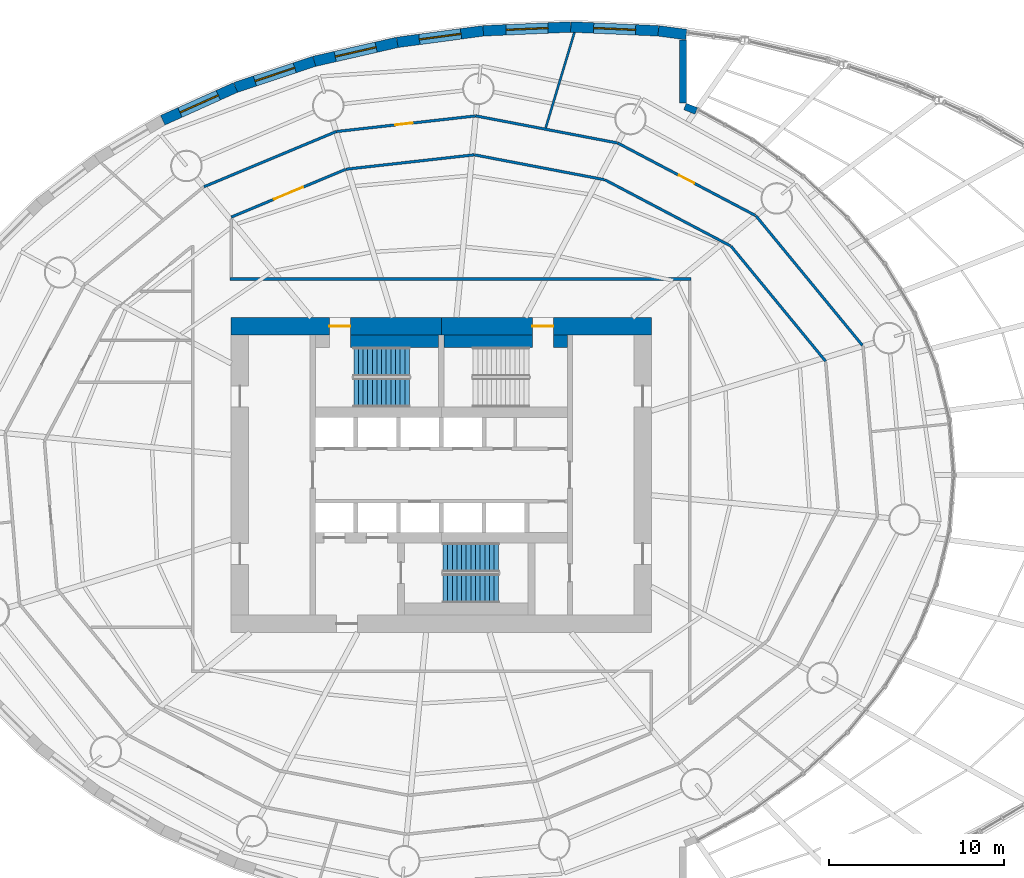
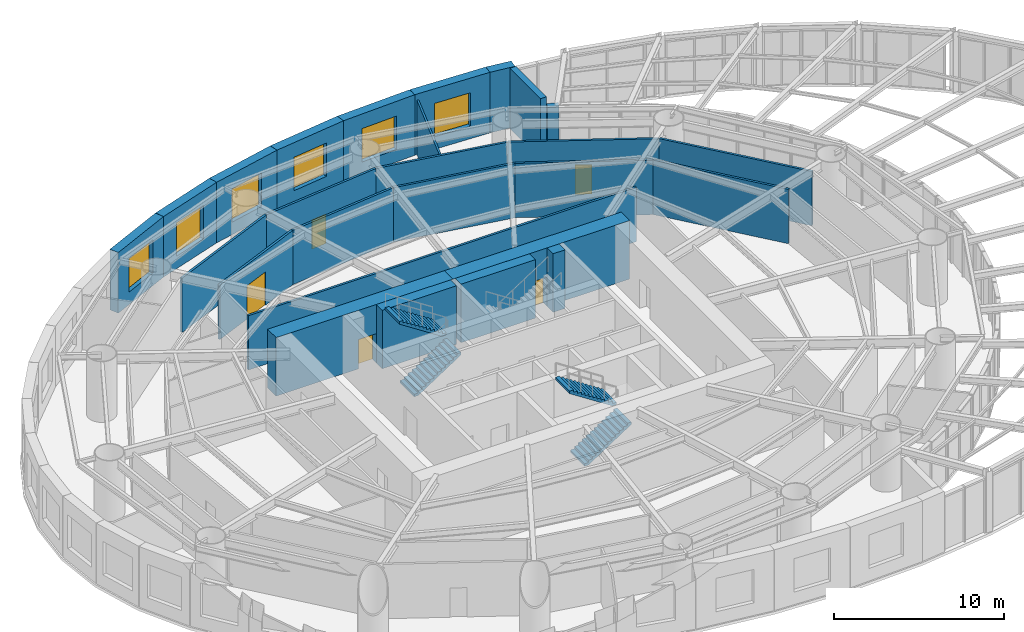
# One storey, part 21 of 23: 26 walls, 6 windows, 5 doors, 4 stair flights, 11 openings, 2 elements without a shape of their own.
"""IFC4 building model written with IfcOpenShell, lengths in metres."""

from ifc_helpers import new_model, si_unit, direction, frame, frame_2d, origin, place, context, subcontext, project, spatial, polyline, rectangle, outline, extrude, material, layer, layer_set, type_object, element, fill, aggregate, save


model = new_model("IFC4")

# Units and contexts
model_context = context("Model", 3, precision=1e-05, world=origin(), true_north=direction((0.0, 1.0)))
body_context = subcontext(model_context, "Body", "Model", "MODEL_VIEW")
ifc_project = project(units=[si_unit("LENGTHUNIT", "METRE"), si_unit("AREAUNIT", "SQUARE_METRE"), si_unit("VOLUMEUNIT", "CUBIC_METRE"), si_unit("PLANEANGLEUNIT", "RADIAN"), si_unit("MASSUNIT", "GRAM", prefix="KILO")], contexts=[model_context])

# Site, building, storey
site_placement = place(None, origin())
site = spatial("IfcSite", under=ifc_project, at=site_placement, CompositionType="ELEMENT")
building_placement = place(site_placement, origin())
building = spatial("IfcBuilding", under=site, at=building_placement, Name="Vermilion Reach Broadcast Tower", CompositionType="ELEMENT")
storey_placement = place(building_placement, frame((0.0, 0.0, 31.5)))
storey = spatial("IfcBuildingStorey", under=building, at=storey_placement, Name="L04", CompositionType="ELEMENT", Elevation=31.5)

# Walls
ifc_material_1 = material(Name="Precast concrete C40/50 with acoustic cladding", Category="concrete")
ifc_layer_1 = layer(ifc_material_1, 0.39990234375)
ifc_layer_set_1 = layer_set([ifc_layer_1], Name="Atrium end wall 400")
wall_type_1 = type_object("IfcWallType", Name="Atrium end wall 400", PredefinedType="SOLIDWALL", material=ifc_layer_set_1)
wall_1_placement = place(storey_placement, frame((7.800048828125, 24.84521484375, 0.0), z_axis=(0.0, 0.0, 1.0), x_axis=(0.0, -1.0, 0.0)))
element("IfcWall", 1, at=wall_1_placement, inside=storey, type_object=wall_type_1, Name="Atrium end wall L04 1", PredefinedType="SOLIDWALL", context=body_context, shape_type="SweptSolid", body=[
    extrude(rectangle(XDim=3.599365234375, YDim=0.39990234375, at=frame_2d((1.7998046875, 0.0))), origin(), (0.0, 0.0, 1.0), 4.35009765625),
])
ifc_material_2 = material(Name="Precast concrete C40/50 with acoustic cladding", Category="concrete")
ifc_layer_2 = layer(ifc_material_2, 0.39990234375)
ifc_layer_set_2 = layer_set([ifc_layer_2], Name="Atrium end wall 400, head 488 below soffit")
wall_type_2 = type_object("IfcWallType", Name="Atrium end wall 400, head 488 below soffit", PredefinedType="SOLIDWALL", material=ifc_layer_set_2)
wall_2_placement = place(storey_placement, frame((7.925048828125, 21.060546875, 0.0), z_axis=(0.0, 0.0, 1.0), x_axis=(0.927141159757, -0.374712249444, 0.0)))
element("IfcWall", 2, at=wall_2_placement, inside=storey, type_object=wall_type_2, Name="Podium wall L04 dru00", PredefinedType="SOLIDWALL", context=body_context, shape_type="SweptSolid", body=[
    extrude(rectangle(XDim=0.696533203125, YDim=0.39990234375, at=frame_2d((0.34814453125, 0.0))), origin(), (0.0, 0.0, 1.0), 3.862060546875),
])

# Wall, opening, door
ifc_material_3 = material(Name="Concrete C70", Category="concrete")
ifc_layer_3 = layer(ifc_material_3, 1.0)
ifc_layer_set_3 = layer_set([ifc_layer_3], Name="Core outer wall 1000 mm Concrete C70")
wall_type_3 = type_object("IfcWallType", Name="Core outer wall 1000 mm Concrete C70", PredefinedType="SHEAR", material=ifc_layer_set_3)
wall_3_placement = place(storey_placement, frame((6.0, 8.5, 0.0), z_axis=(0.0, 0.0, 1.0), x_axis=(-1.0, 0.0, 0.0)))
wall_3 = element("IfcWall", 3, at=wall_3_placement, inside=storey, type_object=wall_type_3, Name="L04 core wall onE", PredefinedType="SHEAR", context=body_context, shape_type="SweptSolid", body=[
    extrude(rectangle(XDim=12.0, YDim=1.0, at=frame_2d((6.0, 0.0))), origin(), (0.0, 0.0, 1.0), 4.199951171875),
])
opening_1_placement = place(wall_3_placement, frame((5.60009765625, 0.0, 0.0)))
opening_1 = element("IfcOpeningElement", 4, at=opening_1_placement, cuts=wall_3, Name="Opening D01", PredefinedType="OPENING", context=body_context, shape_type="SweptSolid", body=[
    extrude(rectangle(XDim=1.199951171875, YDim=2.10009765625, at=frame_2d((0.60009765625, 1.050048828125))), frame((0.0, 0.510009765625, 0.0), z_axis=(0.0, -1.0, 0.0), x_axis=(1.0, 0.0, 0.0)), (0.0, 0.0, 1.0), 1.02001953125),
])
ifc_material_4 = material(Name="Painted steel fire door", Category="steel")
door_type_1 = type_object("IfcDoorType", Name="Stair door 1200 x 2100", OperationType="DOUBLE_DOOR_SINGLE_SWING", PredefinedType="NOTDEFINED", material=ifc_material_4)
door_1_placement = place(opening_1_placement, origin())
door_1 = element("IfcDoor", 5, at=door_1_placement, inside=storey, type_object=door_type_1, Name="L04 stair door ST2", OperationType="DOUBLE_DOOR_SINGLE_SWING", OverallHeight=2.10009765625, OverallWidth=1.199951171875, PredefinedType="NOTDEFINED", context=body_context, shape_type="SweptSolid", body=[
    extrude(rectangle(XDim=1.199951171875, YDim=2.10009765625, at=frame_2d((0.60009765625, 1.050048828125))), frame((0.0, 0.02490234375, 0.0), z_axis=(0.0, -1.0, 0.0), x_axis=(1.0, 0.0, 0.0)), (0.0, 0.0, 1.0), 0.050048828125),
])
fill(opening_1, door_1)

wall_4_placement = place(storey_placement, frame((-6.0, 8.5, 0.0), z_axis=(0.0, 0.0, 1.0), x_axis=(-1.0, 0.0, 0.0)))
wall_4 = element("IfcWall", 6, at=wall_4_placement, inside=storey, type_object=wall_type_3, Name="L04 core wall onW", PredefinedType="SHEAR", context=body_context, shape_type="SweptSolid", body=[
    extrude(rectangle(XDim=12.0, YDim=1.0, at=frame_2d((6.0, 0.0))), origin(), (0.0, 0.0, 1.0), 4.199951171875),
])
opening_2_placement = place(wall_4_placement, frame((5.199951171875, 0.0, 0.0)))
opening_2 = element("IfcOpeningElement", 7, at=opening_2_placement, cuts=wall_4, Name="Opening D01", PredefinedType="OPENING", context=body_context, shape_type="SweptSolid", body=[
    extrude(rectangle(XDim=1.199951171875, YDim=2.10009765625, at=frame_2d((0.60009765625, 1.050048828125))), frame((0.0, 0.510009765625, 0.0), z_axis=(0.0, -1.0, 0.0), x_axis=(1.0, 0.0, 0.0)), (0.0, 0.0, 1.0), 1.02001953125),
])
door_2_placement = place(opening_2_placement, origin())
door_2 = element("IfcDoor", 8, at=door_2_placement, inside=storey, type_object=door_type_1, Name="L04 stair door ST1", OperationType="DOUBLE_DOOR_SINGLE_SWING", OverallHeight=2.10009765625, OverallWidth=1.199951171875, PredefinedType="NOTDEFINED", context=body_context, shape_type="SweptSolid", body=[
    extrude(rectangle(XDim=1.199951171875, YDim=2.10009765625, at=frame_2d((0.60009765625, 1.050048828125))), frame((0.0, 0.02490234375, 0.0), z_axis=(0.0, -1.0, 0.0), x_axis=(1.0, 0.0, 0.0)), (0.0, 0.0, 1.0), 0.050048828125),
])
fill(opening_2, door_2)

# Walls
ifc_material_5 = material(Name="Concrete C70", Category="concrete")
ifc_layer_4 = layer(ifc_material_5, 0.699951171875)
ifc_layer_set_4 = layer_set([ifc_layer_4], Name="Core stair wall 700 mm Concrete C70")
wall_type_4 = type_object("IfcWallType", Name="Core stair wall 700 mm Concrete C70", PredefinedType="SHEAR", material=ifc_layer_set_4)
for number, where, z_axis, x_axis, name in (
    (9, (-11.199951171875, 7.64990234375, 0.0), (0.0, 0.0, 1.0), (1.0, 0.0, 0.0), "L04 core wall l1b"),
    (10, (-5.85009765625, 7.64990234375, 0.0), (0.0, 0.0, 1.0), (1.0, 0.0, 0.0), "L04 core wall l2a"),
):
    element("IfcWall", number, at=place(storey_placement, frame(where, z_axis=z_axis, x_axis=x_axis)), inside=storey, type_object=wall_type_4, Name=name, PredefinedType="SHEAR", context=body_context, shape_type="SweptSolid", body=[
        extrude(rectangle(XDim=5.050048828125, YDim=0.699951171875, at=frame_2d((2.52490234375, 0.0))), origin(), (0.0, 0.0, 1.0), 4.199951171875),
    ])
wall_5_placement = place(storey_placement, frame((0.39990234375, 7.64990234375, 0.0), z_axis=(0.0, 0.0, 1.0), x_axis=(1.0, 0.0, 0.0)))
element("IfcWall", 11, at=wall_5_placement, inside=storey, type_object=wall_type_4, Name="L04 core wall l2b", PredefinedType="SHEAR", context=body_context, shape_type="SweptSolid", body=[
    extrude(rectangle(XDim=0.800048828125, YDim=0.699951171875, at=frame_2d((0.39990234375, 0.0))), origin(), (0.0, 0.0, 1.0), 4.199951171875),
])
ifc_material_6 = material(Name="Gypsum board partition")
ifc_layer_5 = layer(ifc_material_6, 0.14990234375)
ifc_layer_set_5 = layer_set([ifc_layer_5], Name="Corridor wall 150")
wall_type_5 = type_object("IfcWallType", Name="Corridor wall 150", PredefinedType="PARTITIONING", material=ifc_layer_set_5)
wall_6_placement = place(storey_placement, frame((-18.0751953125, 11.199951171875, 0.0), z_axis=(0.0, 0.0, 1.0), x_axis=(1.0, 0.0, 0.0)))
element("IfcWall", 12, at=wall_6_placement, inside=storey, type_object=wall_type_5, Name="sp.wall.L04.000", PredefinedType="PARTITIONING", context=body_context, shape_type="SweptSolid", body=[
    extrude(rectangle(XDim=26.35009765625, YDim=0.14990234375, at=frame_2d((13.175048828125, 0.0))), origin(), (0.0, 0.0, 1.0), 3.89990234375),
])

# Wall, opening, door
wall_7_placement = place(storey_placement, frame((-11.466552734375, 17.46630859375, 0.0), z_axis=(0.0, 0.0, 1.0), x_axis=(-0.9228124679, -0.38524946345, 0.0)))
wall_7 = element("IfcWall", 13, at=wall_7_placement, inside=storey, type_object=wall_type_5, Name="sp.wall.L04.006", PredefinedType="PARTITIONING", context=body_context, shape_type="SweptSolid", body=[
    extrude(rectangle(XDim=7.079833984375, YDim=0.14990234375, at=frame_2d((3.5400390625, 0.0))), origin(), (0.0, 0.0, 1.0), 3.89990234375),
])
opening_3_placement = place(wall_7_placement, frame((2.639892578125, 0.0, 0.0)))
opening_3 = element("IfcOpeningElement", 14, at=opening_3_placement, cuts=wall_7, Name="Opening D55", PredefinedType="OPENING", context=body_context, shape_type="SweptSolid", body=[
    extrude(rectangle(XDim=1.800048828125, YDim=2.39990234375, at=frame_2d((0.89990234375, 1.199951171875))), frame((0.0, 0.0849609375, 0.0), z_axis=(0.0, -1.0, 0.0), x_axis=(1.0, 0.0, 0.0)), (0.0, 0.0, 1.0), 0.169921875),
])
ifc_material_7 = material(Name="Timber and steel door set", Category="steel")
door_type_2 = type_object("IfcDoorType", Name="Hall double door 1800x2400", OperationType="NOTDEFINED", PredefinedType="DOOR", material=ifc_material_7)
door_3_placement = place(opening_3_placement, origin())
door_3 = element("IfcDoor", 15, at=door_3_placement, inside=storey, type_object=door_type_2, Name="sp.door.L04.000", OperationType="DOUBLE_DOOR_SINGLE_SWING", OverallHeight=2.39990234375, OverallWidth=1.800048828125, PredefinedType="DOOR", context=body_context, shape_type="SweptSolid", body=[
    extrude(rectangle(XDim=1.800048828125, YDim=2.39990234375, at=frame_2d((0.89990234375, 1.199951171875))), frame((0.0, 0.02490234375, 0.0), z_axis=(0.0, -1.0, 0.0), x_axis=(1.0, 0.0, 0.0)), (0.0, 0.0, 1.0), 0.050048828125),
])
fill(opening_3, door_3)

# Walls
wall_8_placement = place(storey_placement, frame((-11.446533203125, 17.474609375, 0.0), z_axis=(0.0, 0.0, 1.0), x_axis=(0.993762113274, 0.111520680692, 0.0)))
element("IfcWall", 16, at=wall_8_placement, inside=storey, type_object=wall_type_5, Name="sp.wall.L04.007", PredefinedType="PARTITIONING", context=body_context, shape_type="SweptSolid", body=[
    extrude(rectangle(XDim=7.355712890625, YDim=0.14990234375, at=frame_2d((3.677734375, 0.0))), origin(), (0.0, 0.0, 1.0), 3.89990234375),
])
wall_9_placement = place(storey_placement, frame((-4.113525390625, 18.297607421875, 0.0), z_axis=(0.0, 0.0, 1.0), x_axis=(0.982205706766, -0.187808278828, 0.0)))
element("IfcWall", 17, at=wall_9_placement, inside=storey, type_object=wall_type_5, Name="sp.wall.L04.008", PredefinedType="PARTITIONING", context=body_context, shape_type="SweptSolid", body=[
    extrude(rectangle(XDim=7.573486328125, YDim=0.14990234375, at=frame_2d((3.78662109375, 0.0))), origin(), (0.0, 0.0, 1.0), 3.89990234375),
])
wall_10_placement = place(storey_placement, frame((3.34765625, 16.870849609375, 0.0), z_axis=(0.0, 0.0, 1.0), x_axis=(0.884926057807, -0.465731545221, 0.0)))
element("IfcWall", 18, at=wall_10_placement, inside=storey, type_object=wall_type_5, Name="sp.wall.L04.009", PredefinedType="PARTITIONING", context=body_context, shape_type="SweptSolid", body=[
    extrude(rectangle(XDim=8.110595703125, YDim=0.14990234375, at=frame_2d((4.05517578125, 0.0))), origin(), (0.0, 0.0, 1.0), 3.89990234375),
])
wall_11_placement = place(storey_placement, frame((10.552734375, 13.078857421875, 0.0), z_axis=(0.0, 0.0, 1.0), x_axis=(0.635033534221, -0.772484569694, 0.0)))
element("IfcWall", 19, at=wall_11_placement, inside=storey, type_object=wall_type_5, Name="sp.wall.L04.010", PredefinedType="PARTITIONING", context=body_context, shape_type="SweptSolid", body=[
    extrude(rectangle(XDim=8.513427734375, YDim=0.14990234375, at=frame_2d((4.2568359375, 0.0))), origin(), (0.0, 0.0, 1.0), 3.89990234375),
])
wall_12_placement = place(storey_placement, frame((11.970458984375, 14.81884765625, 0.0), z_axis=(0.0, 0.0, 1.0), x_axis=(0.63502168635, -0.772494309277, 0.0)))
element("IfcWall", 20, at=wall_12_placement, inside=storey, type_object=wall_type_5, Name="sp.wall.L04.030", PredefinedType="PARTITIONING", context=body_context, shape_type="SweptSolid", body=[
    extrude(rectangle(XDim=9.590087890625, YDim=0.14990234375, at=frame_2d((4.794921875, 0.0))), origin(), (0.0, 0.0, 1.0), 3.89990234375),
])

# Wall, opening, door
wall_13_placement = place(storey_placement, frame((11.9423828125, 14.83349609375, 0.0), z_axis=(0.0, 0.0, 1.0), x_axis=(-0.884920607371, 0.465741901326, 0.0)))
wall_13 = element("IfcWall", 21, at=wall_13_placement, inside=storey, type_object=wall_type_5, Name="sp.wall.L04.031", PredefinedType="PARTITIONING", context=body_context, shape_type="SweptSolid", body=[
    extrude(rectangle(XDim=8.882080078125, YDim=0.14990234375, at=frame_2d((4.44091796875, 0.0))), origin(), (0.0, 0.0, 1.0), 3.89990234375),
])
opening_4_placement = place(wall_13_placement, frame((3.941162109375, 0.0, 0.0)))
opening_4 = element("IfcOpeningElement", 22, at=opening_4_placement, cuts=wall_13, Name="Opening D50", PredefinedType="OPENING", context=body_context, shape_type="SweptSolid", body=[
    extrude(rectangle(XDim=1.0, YDim=2.10009765625, at=frame_2d((0.5, 1.050048828125))), frame((0.0, 0.0849609375, 0.0), z_axis=(0.0, -1.0, 0.0), x_axis=(1.0, 0.0, 0.0)), (0.0, 0.0, 1.0), 0.169921875),
])
ifc_material_8 = material(Name="Timber and steel door set", Category="steel")
door_type_3 = type_object("IfcDoorType", Name="Door 1000x2100", OperationType="NOTDEFINED", PredefinedType="DOOR", material=ifc_material_8)
door_4_placement = place(opening_4_placement, origin())
door_4 = element("IfcDoor", 23, at=door_4_placement, inside=storey, type_object=door_type_3, Name="sp.door.L04.006", OperationType="SINGLE_SWING_LEFT", OverallHeight=2.10009765625, OverallWidth=1.0, PredefinedType="DOOR", context=body_context, shape_type="SweptSolid", body=[
    extrude(rectangle(XDim=1.0, YDim=2.10009765625, at=frame_2d((0.5, 1.050048828125))), frame((0.0, 0.02490234375, 0.0), z_axis=(0.0, -1.0, 0.0), x_axis=(1.0, 0.0, 0.0)), (0.0, 0.0, 1.0), 0.050048828125),
])
fill(opening_4, door_4)

# Wall
wall_14_placement = place(storey_placement, frame((-4.027587890625, 20.52099609375, 0.0), z_axis=(0.0, 0.0, 1.0), x_axis=(0.982207009241, -0.187801466976, 0.0)))
element("IfcWall", 24, at=wall_14_placement, inside=storey, type_object=wall_type_5, Name="sp.wall.L04.032", PredefinedType="PARTITIONING", context=body_context, shape_type="SweptSolid", body=[
    extrude(rectangle(XDim=8.234130859375, YDim=0.14990234375, at=frame_2d((4.1171875, 0.0))), origin(), (0.0, 0.0, 1.0), 3.89990234375),
])

# Wall, opening, door
wall_15_placement = place(storey_placement, frame((-4.05078125, 20.518310546875, 0.0), z_axis=(0.0, 0.0, 1.0), x_axis=(-0.993764533241, -0.11149911422, 0.0)))
wall_15 = element("IfcWall", 25, at=wall_15_placement, inside=storey, type_object=wall_type_5, Name="sp.wall.L04.034", PredefinedType="PARTITIONING", context=body_context, shape_type="SweptSolid", body=[
    extrude(rectangle(XDim=7.981201171875, YDim=0.14990234375, at=frame_2d((3.99072265625, 0.0))), origin(), (0.0, 0.0, 1.0), 3.89990234375),
])
opening_5_placement = place(wall_15_placement, frame((3.6162109375, 0.0, 0.0)))
opening_5 = element("IfcOpeningElement", 26, at=opening_5_placement, cuts=wall_15, Name="Opening D50", PredefinedType="OPENING", context=body_context, shape_type="SweptSolid", body=[
    extrude(rectangle(XDim=1.0, YDim=2.10009765625, at=frame_2d((0.5, 1.050048828125))), frame((0.0, 0.0849609375, 0.0), z_axis=(0.0, -1.0, 0.0), x_axis=(1.0, 0.0, 0.0)), (0.0, 0.0, 1.0), 0.169921875),
])
door_5_placement = place(opening_5_placement, origin())
door_5 = element("IfcDoor", 27, at=door_5_placement, inside=storey, type_object=door_type_3, Name="sp.door.L04.007", OperationType="SINGLE_SWING_RIGHT", OverallHeight=2.10009765625, OverallWidth=1.0, PredefinedType="DOOR", context=body_context, shape_type="SweptSolid", body=[
    extrude(rectangle(XDim=1.0, YDim=2.10009765625, at=frame_2d((0.5, 1.050048828125))), frame((0.0, 0.02490234375, 0.0), z_axis=(0.0, -1.0, 0.0), x_axis=(1.0, 0.0, 0.0)), (0.0, 0.0, 1.0), 0.050048828125),
])
fill(opening_5, door_5)

# Walls
wall_16_placement = place(storey_placement, frame((-19.556396484375, 16.47314453125, 0.0), z_axis=(0.0, 0.0, 1.0), x_axis=(0.922818121352, 0.385235921097, 0.0)))
element("IfcWall", 28, at=wall_16_placement, inside=storey, type_object=wall_type_5, Name="sp.wall.L04.035", PredefinedType="PARTITIONING", context=body_context, shape_type="SweptSolid", body=[
    extrude(rectangle(XDim=8.18408203125, YDim=0.14990234375, at=frame_2d((4.092041015625, 0.0))), origin(), (0.0, 0.0, 1.0), 3.89990234375),
])
ifc_material_9 = material(Name="Gypsum board partition")
ifc_layer_6 = layer(ifc_material_9, 0.125)
ifc_layer_set_6 = layer_set([ifc_layer_6], Name="Partition 125 plasterboard")
wall_type_6 = type_object("IfcWallType", Name="Partition 125 plasterboard", PredefinedType="PARTITIONING", material=ifc_layer_set_6)
wall_17_placement = place(storey_placement, frame((-0.03271484375, 19.840087890625, 0.0), z_axis=(0.0, 0.0, 1.0), x_axis=(0.288063986859, 0.957611162986, 0.0)))
element("IfcWall", 29, at=wall_17_placement, inside=storey, type_object=wall_type_6, Name="sp.wall.L04.027", PredefinedType="PARTITIONING", context=body_context, shape_type="SweptSolid", body=[
    extrude(rectangle(XDim=5.69189453125, YDim=0.125, at=frame_2d((2.845947265625, 0.0))), origin(), (0.0, 0.0, 1.0), 3.89990234375),
])
ifc_material_10 = material(Name="Precast concrete C40/50 with acoustic cladding", Category="concrete")
ifc_layer_7 = layer(ifc_material_10, 0.60009765625)
ifc_layer_set_7 = layer_set([ifc_layer_7], Name="Podium acoustic wall 600")
wall_type_7 = type_object("IfcWallType", Name="Podium acoustic wall 600", PredefinedType="SOLIDWALL", material=ifc_layer_set_7)
wall_18_placement = place(storey_placement, frame((8.0, 25.1650390625, 0.0), z_axis=(0.0, 0.0, 1.0), x_axis=(-0.991131029833, 0.132888230112, 0.0)))
element("IfcWall", 30, at=wall_18_placement, inside=storey, type_object=wall_type_7, Name="Podium wall L04 str00", PredefinedType="SOLIDWALL", context=body_context, shape_type="SweptSolid", body=[
    extrude(rectangle(XDim=1.611328125, YDim=0.60009765625, at=frame_2d((0.8056640625, 0.0))), origin(), (0.0, 0.0, 1.0), 4.35009765625),
])

# Wall, opening, window
wall_19_placement = place(storey_placement, frame((6.403076171875, 25.379150390625, 0.0), z_axis=(0.0, 0.0, 1.0), x_axis=(-0.99902630841, 0.044118421369, 0.0)))
wall_19 = element("IfcWall", 31, at=wall_19_placement, inside=storey, type_object=wall_type_7, Name="Podium wall L04 str01", PredefinedType="SOLIDWALL", context=body_context, shape_type="SweptSolid", body=[
    extrude(rectangle(XDim=5.008056640625, YDim=0.60009765625, at=frame_2d((2.50390625, 0.0))), origin(), (0.0, 0.0, 1.0), 4.35009765625),
])
opening_6_placement = place(wall_19_placement, frame((1.303955078125, 0.0, 0.89990234375)))
opening_6 = element("IfcOpeningElement", 32, at=opening_6_placement, cuts=wall_19, Name="Opening W12", PredefinedType="OPENING", context=body_context, shape_type="SweptSolid", body=[
    extrude(rectangle(XDim=2.39990234375, YDim=2.39990234375, at=frame_2d((1.199951171875, 1.199951171875))), frame((0.0, 0.31005859375, 0.0), z_axis=(0.0, -1.0, 0.0), x_axis=(1.0, 0.0, 0.0)), (0.0, 0.0, 1.0), 0.6201171875),
])
ifc_material_11 = material(Name="Low-e laminated clear glass in aluminium frame", Category="aluminium")
window_type = type_object("IfcWindowType", Name="Newsroom window 2400 x 2400", PartitioningType="SINGLE_PANEL", PredefinedType="WINDOW", material=ifc_material_11)
window_1_placement = place(opening_6_placement, origin())
window_1 = element("IfcWindow", 33, at=window_1_placement, inside=storey, type_object=window_type, Name="Window L04 01", OverallHeight=2.39990234375, OverallWidth=2.39990234375, PartitioningType="SINGLE_PANEL", PredefinedType="WINDOW", context=body_context, shape_type="SweptSolid", body=[
    extrude(rectangle(XDim=2.39990234375, YDim=2.39990234375, at=frame_2d((1.199951171875, 1.199951171875))), frame((0.0, 0.030029296875, 0.0), z_axis=(0.0, -1.0, 0.0), x_axis=(1.0, 0.0, 0.0)), (0.0, 0.0, 1.0), 0.06005859375),
])
fill(opening_6, window_1)

wall_20_placement = place(storey_placement, frame((1.39990234375, 25.60009765625, 0.0), z_axis=(0.0, 0.0, 1.0), x_axis=(-0.999026213515, -0.044120570136, 0.0)))
wall_20 = element("IfcWall", 34, at=wall_20_placement, inside=storey, type_object=wall_type_7, Name="Podium wall L04 str02", PredefinedType="SOLIDWALL", context=body_context, shape_type="SweptSolid", body=[
    extrude(rectangle(XDim=5.0078125, YDim=0.60009765625, at=frame_2d((2.50390625, 0.0))), origin(), (0.0, 0.0, 1.0), 4.35009765625),
])
opening_7_placement = place(wall_20_placement, frame((1.303955078125, 0.0, 0.89990234375)))
opening_7 = element("IfcOpeningElement", 35, at=opening_7_placement, cuts=wall_20, Name="Opening W12", PredefinedType="OPENING", context=body_context, shape_type="SweptSolid", body=[
    extrude(rectangle(XDim=2.39990234375, YDim=2.39990234375, at=frame_2d((1.199951171875, 1.199951171875))), frame((0.0, 0.31005859375, 0.0), z_axis=(0.0, -1.0, 0.0), x_axis=(1.0, 0.0, 0.0)), (0.0, 0.0, 1.0), 0.6201171875),
])
window_2_placement = place(opening_7_placement, origin())
window_2 = element("IfcWindow", 36, at=window_2_placement, inside=storey, type_object=window_type, Name="Window L04 02", OverallHeight=2.39990234375, OverallWidth=2.39990234375, PartitioningType="SINGLE_PANEL", PredefinedType="WINDOW", context=body_context, shape_type="SweptSolid", body=[
    extrude(rectangle(XDim=2.39990234375, YDim=2.39990234375, at=frame_2d((1.199951171875, 1.199951171875))), frame((0.0, 0.030029296875, 0.0), z_axis=(0.0, -1.0, 0.0), x_axis=(1.0, 0.0, 0.0)), (0.0, 0.0, 1.0), 0.06005859375),
])
fill(opening_7, window_2)

wall_21_placement = place(storey_placement, frame((-3.60302734375, 25.379150390625, 0.0), z_axis=(0.0, 0.0, 1.0), x_axis=(-0.991143444913, -0.132795600853, 0.0)))
wall_21 = element("IfcWall", 37, at=wall_21_placement, inside=storey, type_object=wall_type_7, Name="Podium wall L04 str03", PredefinedType="SOLIDWALL", context=body_context, shape_type="SweptSolid", body=[
    extrude(rectangle(XDim=4.960205078125, YDim=0.60009765625, at=frame_2d((2.47998046875, 0.0))), origin(), (0.0, 0.0, 1.0), 4.35009765625),
])
opening_8_placement = place(wall_21_placement, frame((1.2802734375, 0.0, 0.89990234375)))
opening_8 = element("IfcOpeningElement", 38, at=opening_8_placement, cuts=wall_21, Name="Opening W12", PredefinedType="OPENING", context=body_context, shape_type="SweptSolid", body=[
    extrude(rectangle(XDim=2.39990234375, YDim=2.39990234375, at=frame_2d((1.199951171875, 1.199951171875))), frame((0.0, 0.31005859375, 0.0), z_axis=(0.0, -1.0, 0.0), x_axis=(1.0, 0.0, 0.0)), (0.0, 0.0, 1.0), 0.6201171875),
])
window_3_placement = place(opening_8_placement, origin())
window_3 = element("IfcWindow", 39, at=window_3_placement, inside=storey, type_object=window_type, Name="Window L04 03", OverallHeight=2.39990234375, OverallWidth=2.39990234375, PartitioningType="SINGLE_PANEL", PredefinedType="WINDOW", context=body_context, shape_type="SweptSolid", body=[
    extrude(rectangle(XDim=2.39990234375, YDim=2.39990234375, at=frame_2d((1.199951171875, 1.199951171875))), frame((0.0, 0.030029296875, 0.0), z_axis=(0.0, -1.0, 0.0), x_axis=(1.0, 0.0, 0.0)), (0.0, 0.0, 1.0), 0.06005859375),
])
fill(opening_8, window_3)

wall_22_placement = place(storey_placement, frame((-8.519287109375, 24.720458984375, 0.0), z_axis=(0.0, 0.0, 1.0), x_axis=(-0.97483982486, -0.222906518224, 0.0)))
wall_22 = element("IfcWall", 40, at=wall_22_placement, inside=storey, type_object=wall_type_7, Name="Podium wall L04 str04", PredefinedType="SOLIDWALL", context=body_context, shape_type="SweptSolid", body=[
    extrude(rectangle(XDim=4.867431640625, YDim=0.60009765625, at=frame_2d((2.43359375, 0.0))), origin(), (0.0, 0.0, 1.0), 4.35009765625),
])
opening_9_placement = place(wall_22_placement, frame((1.233642578125, 0.0, 0.89990234375)))
opening_9 = element("IfcOpeningElement", 41, at=opening_9_placement, cuts=wall_22, Name="Opening W12", PredefinedType="OPENING", context=body_context, shape_type="SweptSolid", body=[
    extrude(rectangle(XDim=2.39990234375, YDim=2.39990234375, at=frame_2d((1.199951171875, 1.199951171875))), frame((0.0, 0.31005859375, 0.0), z_axis=(0.0, -1.0, 0.0), x_axis=(1.0, 0.0, 0.0)), (0.0, 0.0, 1.0), 0.6201171875),
])
window_4_placement = place(opening_9_placement, origin())
window_4 = element("IfcWindow", 42, at=window_4_placement, inside=storey, type_object=window_type, Name="Window L04 04", OverallHeight=2.39990234375, OverallWidth=2.39990234375, PartitioningType="SINGLE_PANEL", PredefinedType="WINDOW", context=body_context, shape_type="SweptSolid", body=[
    extrude(rectangle(XDim=2.39990234375, YDim=2.39990234375, at=frame_2d((1.199951171875, 1.199951171875))), frame((0.0, 0.030029296875, 0.0), z_axis=(0.0, -1.0, 0.0), x_axis=(1.0, 0.0, 0.0)), (0.0, 0.0, 1.0), 0.06005859375),
])
fill(opening_9, window_4)

wall_23_placement = place(storey_placement, frame((-13.26416015625, 23.635498046875, 0.0), z_axis=(0.0, 0.0, 1.0), x_axis=(-0.94901810672, -0.315221561949, 0.0)))
wall_23 = element("IfcWall", 43, at=wall_23_placement, inside=storey, type_object=wall_type_7, Name="Podium wall L04 str05", PredefinedType="SOLIDWALL", context=body_context, shape_type="SweptSolid", body=[
    extrude(rectangle(XDim=4.732177734375, YDim=0.60009765625, at=frame_2d((2.3662109375, 0.0))), origin(), (0.0, 0.0, 1.0), 4.35009765625),
])
opening_10_placement = place(wall_23_placement, frame((1.166015625, 0.0, 0.89990234375)))
opening_10 = element("IfcOpeningElement", 44, at=opening_10_placement, cuts=wall_23, Name="Opening W12", PredefinedType="OPENING", context=body_context, shape_type="SweptSolid", body=[
    extrude(rectangle(XDim=2.39990234375, YDim=2.39990234375, at=frame_2d((1.199951171875, 1.199951171875))), frame((0.0, 0.31005859375, 0.0), z_axis=(0.0, -1.0, 0.0), x_axis=(1.0, 0.0, 0.0)), (0.0, 0.0, 1.0), 0.6201171875),
])
window_5_placement = place(opening_10_placement, origin())
window_5 = element("IfcWindow", 45, at=window_5_placement, inside=storey, type_object=window_type, Name="Window L04 05", OverallHeight=2.39990234375, OverallWidth=2.39990234375, PartitioningType="SINGLE_PANEL", PredefinedType="WINDOW", context=body_context, shape_type="SweptSolid", body=[
    extrude(rectangle(XDim=2.39990234375, YDim=2.39990234375, at=frame_2d((1.199951171875, 1.199951171875))), frame((0.0, 0.030029296875, 0.0), z_axis=(0.0, -1.0, 0.0), x_axis=(1.0, 0.0, 0.0)), (0.0, 0.0, 1.0), 0.06005859375),
])
fill(opening_10, window_5)

wall_24_placement = place(storey_placement, frame((-17.755126953125, 22.143798828125, 0.0), z_axis=(0.0, 0.0, 1.0), x_axis=(-0.911894462824, -0.410424766152, 0.0)))
wall_24 = element("IfcWall", 46, at=wall_24_placement, inside=storey, type_object=wall_type_7, Name="Podium wall L04 str06", PredefinedType="SOLIDWALL", context=body_context, shape_type="SweptSolid", body=[
    extrude(rectangle(XDim=4.561279296875, YDim=0.60009765625, at=frame_2d((2.28076171875, 0.0))), origin(), (0.0, 0.0, 1.0), 4.35009765625),
])
opening_11_placement = place(wall_24_placement, frame((1.08056640625, 0.0, 0.89990234375)))
opening_11 = element("IfcOpeningElement", 47, at=opening_11_placement, cuts=wall_24, Name="Opening W12", PredefinedType="OPENING", context=body_context, shape_type="SweptSolid", body=[
    extrude(rectangle(XDim=2.39990234375, YDim=2.39990234375, at=frame_2d((1.199951171875, 1.199951171875))), frame((0.0, 0.31005859375, 0.0), z_axis=(0.0, -1.0, 0.0), x_axis=(1.0, 0.0, 0.0)), (0.0, 0.0, 1.0), 0.6201171875),
])
window_6_placement = place(opening_11_placement, origin())
window_6 = element("IfcWindow", 48, at=window_6_placement, inside=storey, type_object=window_type, Name="Window L04 06", OverallHeight=2.39990234375, OverallWidth=2.39990234375, PartitioningType="SINGLE_PANEL", PredefinedType="WINDOW", context=body_context, shape_type="SweptSolid", body=[
    extrude(rectangle(XDim=2.39990234375, YDim=2.39990234375, at=frame_2d((1.199951171875, 1.199951171875))), frame((0.0, 0.030029296875, 0.0), z_axis=(0.0, -1.0, 0.0), x_axis=(1.0, 0.0, 0.0)), (0.0, 0.0, 1.0), 0.06005859375),
])
fill(opening_11, window_6)

# Stair, stair flights
ifc_material_12 = material(Name="Concrete C40", Category="concrete")
stair_type = type_object("IfcStairType", Name="Exit stair RC 26 risers 173 mm", PredefinedType="HALF_TURN_STAIR", material=ifc_material_12)
placement = place(storey_placement, origin())
stair_1 = element("IfcStair", 49, at=placement, inside=storey, type_object=stair_type, Name="L04 Exit stair ST1", PredefinedType="HALF_TURN_STAIR")
ifc_material_13 = material(Name="Concrete C40", Category="concrete")
stair_flight_type = type_object("IfcStairFlightType", Name="Exit stair flight RC 13 risers", PredefinedType="STRAIGHT", material=ifc_material_13)
stair_flight_1_placement = place(storey_placement, frame((-11.0, 4.7099609375, 0.0), z_axis=(0.0, 0.0, 1.0), x_axis=(1.0, 0.0, 0.0)))
stair_flight_1 = element("IfcStairFlight", 50, at=stair_flight_1_placement, type_object=stair_flight_type, Name="ST1 flight 1", NumberOfRisers=13, NumberOfTreads=12, PredefinedType="STRAIGHT", RiserHeight=0.173076923, TreadLength=0.265, context=body_context, shape_type="SweptSolid", body=[
    extrude(outline(polyline([(0.0, 0.0), (0.0, 0.173095703125), (0.264892578125, 0.173095703125), (0.264892578125, 0.34619140625), (0.530029296875, 0.34619140625), (0.530029296875, 0.519287109375), (0.794921875, 0.519287109375), (0.794921875, 0.6923828125), (1.06005859375, 0.6923828125), (1.06005859375, 0.865478515625), (1.324951171875, 0.865478515625), (1.324951171875, 1.03857421875), (1.590087890625, 1.03857421875), (1.590087890625, 1.21142578125), (1.85498046875, 1.21142578125), (1.85498046875, 1.384521484375), (2.1201171875, 1.384521484375), (2.1201171875, 1.5576171875), (2.385009765625, 1.5576171875), (2.385009765625, 1.730712890625), (2.64990234375, 1.730712890625), (2.64990234375, 1.90380859375), (2.9150390625, 1.90380859375), (2.9150390625, 2.076904296875), (3.179931640625, 2.076904296875), (3.179931640625, 2.25), (3.179931640625, 1.89794921875), (0.274169921875, 0.0), (0.0, 0.0)])), frame((0.0, 0.830078125, 0.0), z_axis=(0.0, -1.0, 0.0), x_axis=(1.0, 0.0, 0.0)), (0.0, 0.0, 1.0), 1.659912109375),
])
stair_flight_2_placement = place(storey_placement, frame((-7.820068359375, 6.469970703125, 2.25), z_axis=(0.0, 0.0, 1.0), x_axis=(-1.0, 0.0, 0.0)))
stair_flight_2 = element("IfcStairFlight", 51, at=stair_flight_2_placement, type_object=stair_flight_type, Name="ST1 flight 2", NumberOfRisers=13, NumberOfTreads=12, PredefinedType="STRAIGHT", RiserHeight=0.173076923, TreadLength=0.265, context=body_context, shape_type="SweptSolid", body=[
    extrude(outline(polyline([(0.0, 0.0), (0.0, 0.173095703125), (0.264892578125, 0.173095703125), (0.264892578125, 0.34619140625), (0.530029296875, 0.34619140625), (0.530029296875, 0.519287109375), (0.794921875, 0.519287109375), (0.794921875, 0.6923828125), (1.06005859375, 0.6923828125), (1.06005859375, 0.865478515625), (1.324951171875, 0.865478515625), (1.324951171875, 1.03857421875), (1.590087890625, 1.03857421875), (1.590087890625, 1.21142578125), (1.85498046875, 1.21142578125), (1.85498046875, 1.384521484375), (2.1201171875, 1.384521484375), (2.1201171875, 1.5576171875), (2.385009765625, 1.5576171875), (2.385009765625, 1.730712890625), (2.64990234375, 1.730712890625), (2.64990234375, 1.90380859375), (2.9150390625, 1.90380859375), (2.9150390625, 2.076904296875), (3.179931640625, 2.076904296875), (3.179931640625, 2.25), (3.179931640625, 1.89794921875), (0.274169921875, 0.0), (0.0, 0.0)])), frame((0.0, 0.830078125, 0.0), z_axis=(0.0, -1.0, 0.0), x_axis=(1.0, 0.0, 0.0)), (0.0, 0.0, 1.0), 1.659912109375),
])
aggregate(stair_1, [stair_flight_1, stair_flight_2])

stair_2 = element("IfcStair", 52, at=placement, inside=storey, type_object=stair_type, Name="L04 Exit stair ST3", PredefinedType="HALF_TURN_STAIR")
stair_flight_3_placement = place(storey_placement, frame((-5.89990234375, -6.469970703125, 0.0), z_axis=(0.0, 0.0, 1.0), x_axis=(1.0, 0.0, 0.0)))
stair_flight_3 = element("IfcStairFlight", 53, at=stair_flight_3_placement, type_object=stair_flight_type, Name="ST3 flight 1", NumberOfRisers=13, NumberOfTreads=12, PredefinedType="STRAIGHT", RiserHeight=0.173076923, TreadLength=0.265, context=body_context, shape_type="SweptSolid", body=[
    extrude(outline(polyline([(0.0, 0.0), (0.0, 0.173095703125), (0.264892578125, 0.173095703125), (0.264892578125, 0.34619140625), (0.530029296875, 0.34619140625), (0.530029296875, 0.519287109375), (0.794921875, 0.519287109375), (0.794921875, 0.6923828125), (1.06005859375, 0.6923828125), (1.06005859375, 0.865478515625), (1.324951171875, 0.865478515625), (1.324951171875, 1.03857421875), (1.590087890625, 1.03857421875), (1.590087890625, 1.21142578125), (1.85498046875, 1.21142578125), (1.85498046875, 1.384521484375), (2.1201171875, 1.384521484375), (2.1201171875, 1.5576171875), (2.385009765625, 1.5576171875), (2.385009765625, 1.730712890625), (2.64990234375, 1.730712890625), (2.64990234375, 1.90380859375), (2.9150390625, 1.90380859375), (2.9150390625, 2.076904296875), (3.179931640625, 2.076904296875), (3.179931640625, 2.25), (3.179931640625, 1.89794921875), (0.274169921875, 0.0), (0.0, 0.0)])), frame((0.0, 0.830078125, 0.0), z_axis=(0.0, -1.0, 0.0), x_axis=(1.0, 0.0, 0.0)), (0.0, 0.0, 1.0), 1.659912109375),
])
stair_flight_4_placement = place(storey_placement, frame((-2.719970703125, -4.7099609375, 2.25), z_axis=(0.0, 0.0, 1.0), x_axis=(-1.0, 0.0, 0.0)))
stair_flight_4 = element("IfcStairFlight", 54, at=stair_flight_4_placement, type_object=stair_flight_type, Name="ST3 flight 2", NumberOfRisers=13, NumberOfTreads=12, PredefinedType="STRAIGHT", RiserHeight=0.173076923, TreadLength=0.265, context=body_context, shape_type="SweptSolid", body=[
    extrude(outline(polyline([(0.0, 0.0), (0.0, 0.173095703125), (0.264892578125, 0.173095703125), (0.264892578125, 0.34619140625), (0.530029296875, 0.34619140625), (0.530029296875, 0.519287109375), (0.794921875, 0.519287109375), (0.794921875, 0.6923828125), (1.06005859375, 0.6923828125), (1.06005859375, 0.865478515625), (1.324951171875, 0.865478515625), (1.324951171875, 1.03857421875), (1.590087890625, 1.03857421875), (1.590087890625, 1.21142578125), (1.85498046875, 1.21142578125), (1.85498046875, 1.384521484375), (2.1201171875, 1.384521484375), (2.1201171875, 1.5576171875), (2.385009765625, 1.5576171875), (2.385009765625, 1.730712890625), (2.64990234375, 1.730712890625), (2.64990234375, 1.90380859375), (2.9150390625, 1.90380859375), (2.9150390625, 2.076904296875), (3.179931640625, 2.076904296875), (3.179931640625, 2.25), (3.179931640625, 1.89794921875), (0.274169921875, 0.0), (0.0, 0.0)])), frame((0.0, 0.830078125, 0.0), z_axis=(0.0, -1.0, 0.0), x_axis=(1.0, 0.0, 0.0)), (0.0, 0.0, 1.0), 1.659912109375),
])
aggregate(stair_2, [stair_flight_3, stair_flight_4])

save(model, "model.ifc")
